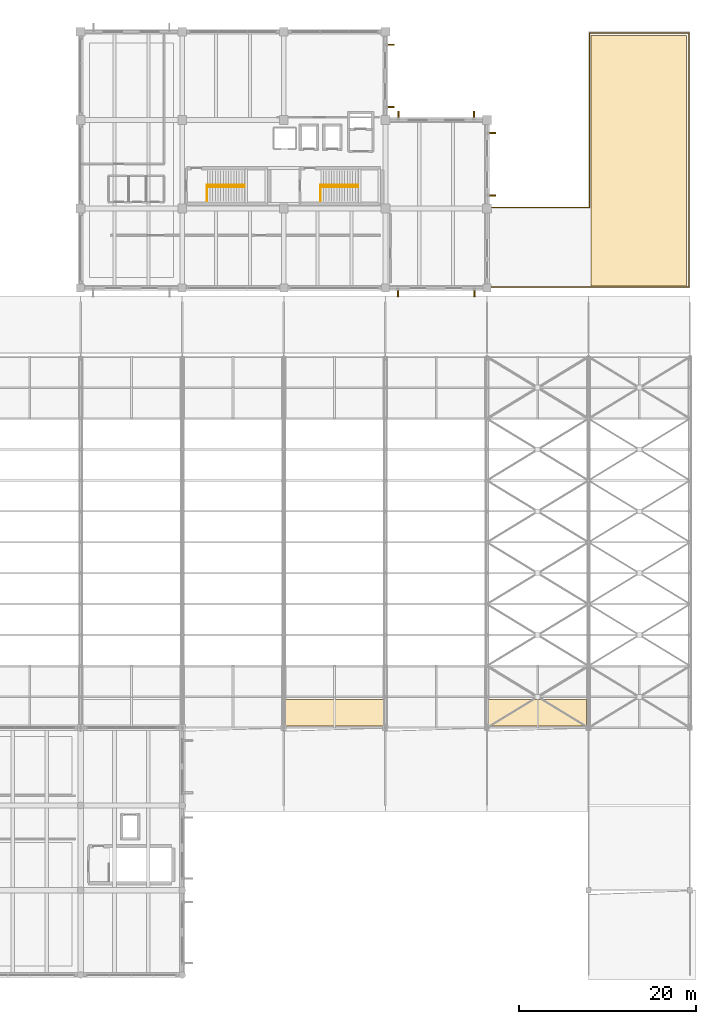
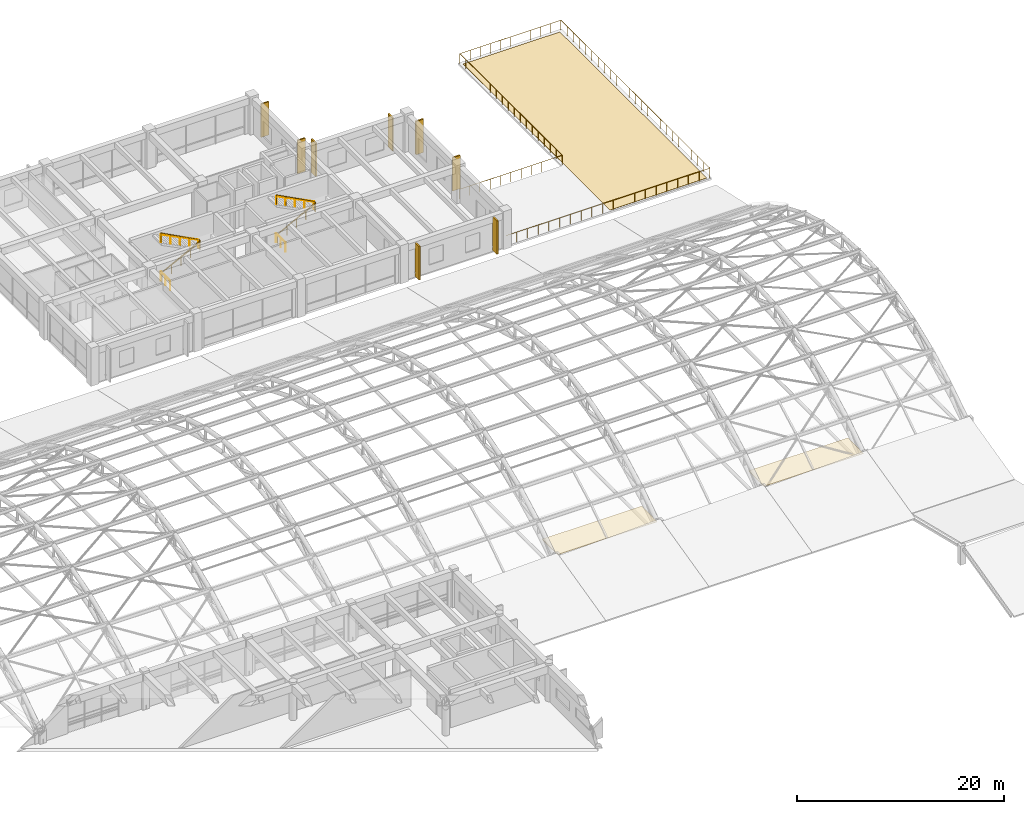
# One storey, part 154 of 154: 9 railings, 8 shading devices, 3 coverings.
"""IFC4 building model written with IfcOpenShell, lengths in metres."""

from ifc_helpers import new_model, si_unit, direction, frame, origin, origin_2d, place, context, subcontext, project, spatial, polyline, rectangle, circle, outline, extrude, material, layer, layer_set, type_object, element, save


model = new_model("IFC4")

# Units and contexts
model_context = context("Model", 3, precision=1e-05, world=origin(), true_north=direction((0.0, 1.0)))
body_context = subcontext(model_context, "Body", "Model", "MODEL_VIEW")
ifc_project = project(units=[si_unit("LENGTHUNIT", "METRE"), si_unit("AREAUNIT", "SQUARE_METRE"), si_unit("VOLUMEUNIT", "CUBIC_METRE"), si_unit("PLANEANGLEUNIT", "RADIAN"), si_unit("MASSUNIT", "GRAM", prefix="KILO")], contexts=[model_context])

# Site, building, storey
site_placement = place(None, origin())
site = spatial("IfcSite", under=ifc_project, at=site_placement, CompositionType="ELEMENT")
building_placement = place(site_placement, origin())
building = spatial("IfcBuilding", under=site, at=building_placement, Name="Ologun Quay Terminus", CompositionType="ELEMENT")
storey_placement = place(building_placement, frame((0.0, 0.0, 13.800048828125)))
storey = spatial("IfcBuildingStorey", under=building, at=storey_placement, Name="L03", CompositionType="ELEMENT", Elevation=13.800048828125)

# Shading devices
ifc_material_1 = material(Name="Concrete C40/50", Category="concrete")
ifc_layer_1 = layer(ifc_material_1, 0.159912109375)
ifc_layer_set_1 = layer_set([ifc_layer_1], Name="Concrete C40/50")
shading_device_type = type_object("IfcShadingDeviceType", Name="Operations Angled Precast Solar Fin 850x160", PredefinedType="USERDEFINED", material=ifc_layer_set_1)
for number, where, z_axis, x_axis, name in (
    (1, (150.919921875, 85.2451171875, 0.14990234375), (0.0, 0.0, 1.0), (1.0, 0.0, 0.0), "SD-05 Vertical Solar Fin WEW-EW-L03-4-1"),
    (2, (159.580078125, 85.2451171875, 0.14990234375), (0.0, 0.0, 1.0), (1.0, 0.0, 0.0), "SD-05 Vertical Solar Fin WEW-EW-L03-4-2"),
):
    element("IfcShadingDevice", number, at=place(storey_placement, frame(where, z_axis=z_axis, x_axis=x_axis)), inside=storey, type_object=shading_device_type, Name=name, ObjectType="SOLAR FIN", PredefinedType="USERDEFINED", context=body_context, shape_type="SweptSolid", body=[
        extrude(rectangle(XDim=0.159912109375, YDim=0.85009765625, at=origin_2d()), origin(), (0.0, 0.0, 1.0), 3.929931640625),
    ])
for number, where, z_axis, x_axis, name in (
    (3, (161.554931640625, 96.27001953125, 0.14990234375), (0.0, 0.0, 1.0), (1.0, 0.0, 0.0), "SD-05 Vertical Solar Fin WEW-EW-L03-6-1"),
    (4, (161.554931640625, 103.330078125, 0.14990234375), (0.0, 0.0, 1.0), (1.0, 0.0, 0.0), "SD-05 Vertical Solar Fin WEW-EW-L03-6-2"),
):
    element("IfcShadingDevice", number, at=place(storey_placement, frame(where, z_axis=z_axis, x_axis=x_axis)), inside=storey, type_object=shading_device_type, Name=name, ObjectType="SOLAR FIN", PredefinedType="USERDEFINED", context=body_context, shape_type="SweptSolid", body=[
        extrude(rectangle(XDim=0.85009765625, YDim=0.159912109375, at=origin_2d()), origin(), (0.0, 0.0, 1.0), 3.929931640625),
    ])
for number, where, z_axis, x_axis, name in (
    (5, (150.969970703125, 105.35498046875, 0.14990234375), (0.0, 0.0, 1.0), (1.0, 0.0, 0.0), "SD-05 Vertical Solar Fin WEW-EW-L03-7-1"),
    (6, (159.530029296875, 105.35498046875, 0.14990234375), (0.0, 0.0, 1.0), (1.0, 0.0, 0.0), "SD-05 Vertical Solar Fin WEW-EW-L03-7-2"),
):
    element("IfcShadingDevice", number, at=place(storey_placement, frame(where, z_axis=z_axis, x_axis=x_axis)), inside=storey, type_object=shading_device_type, Name=name, ObjectType="SOLAR FIN", PredefinedType="USERDEFINED", context=body_context, shape_type="SweptSolid", body=[
        extrude(rectangle(XDim=0.159912109375, YDim=0.85009765625, at=origin_2d()), origin(), (0.0, 0.0, 1.0), 3.929931640625),
    ])
for number, where, z_axis, x_axis, name in (
    (7, (150.054931640625, 106.27001953125, 0.14990234375), (0.0, 0.0, 1.0), (1.0, 0.0, 0.0), "SD-05 Vertical Solar Fin WEW-EW-L03-8-1"),
    (8, (150.054931640625, 113.330078125, 0.14990234375), (0.0, 0.0, 1.0), (1.0, 0.0, 0.0), "SD-05 Vertical Solar Fin WEW-EW-L03-8-2"),
):
    element("IfcShadingDevice", number, at=place(storey_placement, frame(where, z_axis=z_axis, x_axis=x_axis)), inside=storey, type_object=shading_device_type, Name=name, ObjectType="SOLAR FIN", PredefinedType="USERDEFINED", context=body_context, shape_type="SweptSolid", body=[
        extrude(rectangle(XDim=0.85009765625, YDim=0.159912109375, at=origin_2d()), origin(), (0.0, 0.0, 1.0), 3.929931640625),
    ])

# Railings
ifc_material_2 = material(Name="Steel S355", Category="steel")
railing_type_1 = type_object("IfcRailingType", Name="Stair & Landing Steel Guardrail 1100", PredefinedType="GUARDRAIL", material=ifc_material_2)
railing_1_placement = place(storey_placement, frame((129.31005859375, 97.43994140625, 0.0)))
element("IfcRailing", 9, at=railing_1_placement, inside=storey, type_object=railing_type_1, Name="GR-ST Stair Floor Edge Guard ST-E1 L03", PredefinedType="GUARDRAIL", context=body_context, shape_type="SweptSolid", body=[
    extrude(circle(Radius=0.02392578125, at=origin_2d()), frame((0.0, 0.0, 1.076171875), z_axis=(0.0, -1.0, 0.0), x_axis=(1.0, 0.0, 0.0)), (0.0, 0.0, 1.0), 1.829833984375),
    extrude(circle(Radius=0.02099609375, at=origin_2d()), origin(), (0.0, 0.0, 1.0), 1.052001953125),
    extrude(circle(Radius=0.02099609375, at=origin_2d()), frame((0.0, -0.9150390625, 0.0)), (0.0, 0.0, 1.0), 1.052001953125),
    extrude(circle(Radius=0.02099609375, at=origin_2d()), frame((0.0, -1.829833984375, 0.0)), (0.0, 0.0, 1.0), 1.052001953125),
])
railing_2_placement = place(storey_placement, frame((129.35009765625, 97.25, 0.0)))
element("IfcRailing", 10, at=railing_2_placement, inside=storey, type_object=railing_type_1, Name="GR-ST Stair Inner Well Guard ST-E1 L03", PredefinedType="GUARDRAIL", context=body_context, shape_type="SweptSolid", body=[
    extrude(circle(Radius=0.02392578125, at=origin_2d()), frame((0.0, 0.0, 1.076171875), z_axis=(0.882871490178, 0.0, 0.469614663135), x_axis=(0.0, 1.0, 0.0)), (0.0, 0.0, 1.0), 4.791259765625),
    extrude(circle(Radius=0.02392578125, at=origin_2d()), frame((4.22998046875, 0.0, 3.326171875), z_axis=(0.0, 1.0, 0.0), x_axis=(-1.0, 0.0, 0.0)), (0.0, 0.0, 1.0), 0.199951171875),
    extrude(circle(Radius=0.02392578125, at=origin_2d()), frame((4.22998046875, 0.199951171875, 3.326171875), z_axis=(-0.882871490178, 0.0, 0.469614663135), x_axis=(0.0, -1.0, 0.0)), (0.0, 0.0, 1.0), 4.791259765625),
    extrude(circle(Radius=0.02099609375, at=origin_2d()), origin(), (0.0, 0.0, 1.0), 1.052001953125),
    extrude(circle(Radius=0.02099609375, at=origin_2d()), frame((1.0576171875, 0.0, 0.5625)), (0.0, 0.0, 1.0), 1.052001953125),
    extrude(circle(Radius=0.02099609375, at=origin_2d()), frame((2.114990234375, 0.0, 1.125)), (0.0, 0.0, 1.0), 1.052001953125),
    extrude(circle(Radius=0.02099609375, at=origin_2d()), frame((3.17236328125, 0.0, 1.6875)), (0.0, 0.0, 1.0), 1.052001953125),
    extrude(circle(Radius=0.02099609375, at=origin_2d()), frame((4.22998046875, 0.0, 2.25)), (0.0, 0.0, 1.0), 1.052001953125),
    extrude(circle(Radius=0.02099609375, at=origin_2d()), frame((4.22998046875, 0.199951171875, 2.25)), (0.0, 0.0, 1.0), 1.052001953125),
    extrude(circle(Radius=0.02099609375, at=origin_2d()), frame((3.17236328125, 0.199951171875, 2.8125)), (0.0, 0.0, 1.0), 1.052001953125),
    extrude(circle(Radius=0.02099609375, at=origin_2d()), frame((2.114990234375, 0.199951171875, 3.375)), (0.0, 0.0, 1.0), 1.052001953125),
    extrude(circle(Radius=0.02099609375, at=origin_2d()), frame((1.0576171875, 0.199951171875, 3.9375)), (0.0, 0.0, 1.0), 1.052001953125),
    extrude(circle(Radius=0.02099609375, at=origin_2d()), frame((0.0, 0.199951171875, 4.5)), (0.0, 0.0, 1.0), 1.052001953125),
])
railing_3_placement = place(storey_placement, frame((142.159912109375, 97.43994140625, 0.0)))
element("IfcRailing", 11, at=railing_3_placement, inside=storey, type_object=railing_type_1, Name="GR-ST Stair Floor Edge Guard ST-E2 L03", PredefinedType="GUARDRAIL", context=body_context, shape_type="SweptSolid", body=[
    extrude(circle(Radius=0.02392578125, at=origin_2d()), frame((0.0, 0.0, 1.076171875), z_axis=(0.0, -1.0, 0.0), x_axis=(1.0, 0.0, 0.0)), (0.0, 0.0, 1.0), 1.829833984375),
    extrude(circle(Radius=0.02099609375, at=origin_2d()), origin(), (0.0, 0.0, 1.0), 1.052001953125),
    extrude(circle(Radius=0.02099609375, at=origin_2d()), frame((0.0, -0.9150390625, 0.0)), (0.0, 0.0, 1.0), 1.052001953125),
    extrude(circle(Radius=0.02099609375, at=origin_2d()), frame((0.0, -1.829833984375, 0.0)), (0.0, 0.0, 1.0), 1.052001953125),
])
railing_4_placement = place(storey_placement, frame((142.199951171875, 97.25, 0.0)))
element("IfcRailing", 12, at=railing_4_placement, inside=storey, type_object=railing_type_1, Name="GR-ST Stair Inner Well Guard ST-E2 L03", PredefinedType="GUARDRAIL", context=body_context, shape_type="SweptSolid", body=[
    extrude(circle(Radius=0.02392578125, at=origin_2d()), frame((0.0, 0.0, 1.076171875), z_axis=(0.882871490178, 0.0, 0.469614663135), x_axis=(0.0, 1.0, 0.0)), (0.0, 0.0, 1.0), 4.791259765625),
    extrude(circle(Radius=0.02392578125, at=origin_2d()), frame((4.22998046875, 0.0, 3.326171875), z_axis=(0.0, 1.0, 0.0), x_axis=(-1.0, 0.0, 0.0)), (0.0, 0.0, 1.0), 0.199951171875),
    extrude(circle(Radius=0.02392578125, at=origin_2d()), frame((4.22998046875, 0.199951171875, 3.326171875), z_axis=(-0.882871490178, 0.0, 0.469614663135), x_axis=(0.0, -1.0, 0.0)), (0.0, 0.0, 1.0), 4.791259765625),
    extrude(circle(Radius=0.02099609375, at=origin_2d()), origin(), (0.0, 0.0, 1.0), 1.052001953125),
    extrude(circle(Radius=0.02099609375, at=origin_2d()), frame((1.0576171875, 0.0, 0.5625)), (0.0, 0.0, 1.0), 1.052001953125),
    extrude(circle(Radius=0.02099609375, at=origin_2d()), frame((2.114990234375, 0.0, 1.125)), (0.0, 0.0, 1.0), 1.052001953125),
    extrude(circle(Radius=0.02099609375, at=origin_2d()), frame((3.17236328125, 0.0, 1.6875)), (0.0, 0.0, 1.0), 1.052001953125),
    extrude(circle(Radius=0.02099609375, at=origin_2d()), frame((4.22998046875, 0.0, 2.25)), (0.0, 0.0, 1.0), 1.052001953125),
    extrude(circle(Radius=0.02099609375, at=origin_2d()), frame((4.22998046875, 0.199951171875, 2.25)), (0.0, 0.0, 1.0), 1.052001953125),
    extrude(circle(Radius=0.02099609375, at=origin_2d()), frame((3.17236328125, 0.199951171875, 2.8125)), (0.0, 0.0, 1.0), 1.052001953125),
    extrude(circle(Radius=0.02099609375, at=origin_2d()), frame((2.114990234375, 0.199951171875, 3.375)), (0.0, 0.0, 1.0), 1.052001953125),
    extrude(circle(Radius=0.02099609375, at=origin_2d()), frame((1.0576171875, 0.199951171875, 3.9375)), (0.0, 0.0, 1.0), 1.052001953125),
    extrude(circle(Radius=0.02099609375, at=origin_2d()), frame((0.0, 0.199951171875, 4.5)), (0.0, 0.0, 1.0), 1.052001953125),
])
ifc_material_3 = material(Name="Steel S355", Category="steel")
railing_type_2 = type_object("IfcRailingType", Name="Stair Stainless Tubular Handrail 920", PredefinedType="HANDRAIL", material=ifc_material_3)
railing_5_placement = place(storey_placement, frame((129.35009765625, 97.239990234375, 0.14990234375)))
element("IfcRailing", 13, at=railing_5_placement, inside=storey, type_object=railing_type_2, Name="HR-ST Handrail ST-E1-F1 L03", PredefinedType="HANDRAIL", context=body_context, shape_type="SweptSolid", body=[
    extrude(circle(Radius=0.02392578125, at=origin_2d()), frame((0.0, 0.0, 0.89599609375), z_axis=(0.894416792377, 0.0, 0.447234392142), x_axis=(0.0, 1.0, 0.0)), (0.0, 0.0, 1.0), 4.69580078125),
    extrude(circle(Radius=0.02099609375, at=origin_2d()), origin(), (0.0, 0.0, 1.0), 0.871826171875),
    extrude(circle(Radius=0.02099609375, at=origin_2d()), frame((1.050048828125, 0.0, 0.52490234375)), (0.0, 0.0, 1.0), 0.871826171875),
    extrude(circle(Radius=0.02099609375, at=origin_2d()), frame((2.10009765625, 0.0, 1.050048828125)), (0.0, 0.0, 1.0), 0.871826171875),
    extrude(circle(Radius=0.02099609375, at=origin_2d()), frame((3.14990234375, 0.0, 1.5751953125)), (0.0, 0.0, 1.0), 0.871826171875),
    extrude(circle(Radius=0.02099609375, at=origin_2d()), frame((4.199951171875, 0.0, 2.10009765625)), (0.0, 0.0, 1.0), 0.871826171875),
])
railing_6_placement = place(storey_placement, frame((133.550048828125, 97.4599609375, 2.39990234375)))
element("IfcRailing", 14, at=railing_6_placement, inside=storey, type_object=railing_type_2, Name="HR-ST Handrail ST-E1-F2 L03", PredefinedType="HANDRAIL", context=body_context, shape_type="SweptSolid", body=[
    extrude(circle(Radius=0.02392578125, at=origin_2d()), frame((0.0, 0.0, 0.89599609375), z_axis=(-0.894416792377, 0.0, 0.447234392142), x_axis=(0.0, -1.0, 0.0)), (0.0, 0.0, 1.0), 4.69580078125),
    extrude(circle(Radius=0.02099609375, at=origin_2d()), origin(), (0.0, 0.0, 1.0), 0.871826171875),
    extrude(circle(Radius=0.02099609375, at=origin_2d()), frame((-1.050048828125, 0.0, 0.52490234375)), (0.0, 0.0, 1.0), 0.871826171875),
    extrude(circle(Radius=0.02099609375, at=origin_2d()), frame((-2.10009765625, 0.0, 1.050048828125)), (0.0, 0.0, 1.0), 0.871826171875),
    extrude(circle(Radius=0.02099609375, at=origin_2d()), frame((-3.14990234375, 0.0, 1.5751953125)), (0.0, 0.0, 1.0), 0.871826171875),
    extrude(circle(Radius=0.02099609375, at=origin_2d()), frame((-4.199951171875, 0.0, 2.10009765625)), (0.0, 0.0, 1.0), 0.871826171875),
])
railing_7_placement = place(storey_placement, frame((142.199951171875, 97.239990234375, 0.14990234375)))
element("IfcRailing", 15, at=railing_7_placement, inside=storey, type_object=railing_type_2, Name="HR-ST Handrail ST-E2-F1 L03", PredefinedType="HANDRAIL", context=body_context, shape_type="SweptSolid", body=[
    extrude(circle(Radius=0.02392578125, at=origin_2d()), frame((0.0, 0.0, 0.89599609375), z_axis=(0.894416792377, 0.0, 0.447234392142), x_axis=(0.0, 1.0, 0.0)), (0.0, 0.0, 1.0), 4.69580078125),
    extrude(circle(Radius=0.02099609375, at=origin_2d()), origin(), (0.0, 0.0, 1.0), 0.871826171875),
    extrude(circle(Radius=0.02099609375, at=origin_2d()), frame((1.050048828125, 0.0, 0.52490234375)), (0.0, 0.0, 1.0), 0.871826171875),
    extrude(circle(Radius=0.02099609375, at=origin_2d()), frame((2.10009765625, 0.0, 1.050048828125)), (0.0, 0.0, 1.0), 0.871826171875),
    extrude(circle(Radius=0.02099609375, at=origin_2d()), frame((3.14990234375, 0.0, 1.5751953125)), (0.0, 0.0, 1.0), 0.871826171875),
    extrude(circle(Radius=0.02099609375, at=origin_2d()), frame((4.199951171875, 0.0, 2.10009765625)), (0.0, 0.0, 1.0), 0.871826171875),
])
railing_8_placement = place(storey_placement, frame((146.39990234375, 97.4599609375, 2.39990234375)))
element("IfcRailing", 16, at=railing_8_placement, inside=storey, type_object=railing_type_2, Name="HR-ST Handrail ST-E2-F2 L03", PredefinedType="HANDRAIL", context=body_context, shape_type="SweptSolid", body=[
    extrude(circle(Radius=0.02392578125, at=origin_2d()), frame((0.0, 0.0, 0.89599609375), z_axis=(-0.894416792377, 0.0, 0.447234392142), x_axis=(0.0, -1.0, 0.0)), (0.0, 0.0, 1.0), 4.69580078125),
    extrude(circle(Radius=0.02099609375, at=origin_2d()), origin(), (0.0, 0.0, 1.0), 0.871826171875),
    extrude(circle(Radius=0.02099609375, at=origin_2d()), frame((-1.050048828125, 0.0, 0.52490234375)), (0.0, 0.0, 1.0), 0.871826171875),
    extrude(circle(Radius=0.02099609375, at=origin_2d()), frame((-2.10009765625, 0.0, 1.050048828125)), (0.0, 0.0, 1.0), 0.871826171875),
    extrude(circle(Radius=0.02099609375, at=origin_2d()), frame((-3.14990234375, 0.0, 1.5751953125)), (0.0, 0.0, 1.0), 0.871826171875),
    extrude(circle(Radius=0.02099609375, at=origin_2d()), frame((-4.199951171875, 0.0, 2.10009765625)), (0.0, 0.0, 1.0), 0.871826171875),
])

# Coverings
ifc_material_4 = material(Name="Aluminium 6063-T6", Category="aluminium")
ifc_layer_2 = layer(ifc_material_4, 0.06494140625)
ifc_layer_set_2 = layer_set([ifc_layer_2], Name="Aluminium 6063-T6")
covering_type_1 = type_object("IfcCoveringType", Name="Standing-Seam Aluminium Barrel Roof Cladding 65", PredefinedType="ROOFING", material=ifc_layer_set_2)
covering_1_placement = place(storey_placement, frame((0.0, 0.0, 1.659912109375)))
element("IfcCovering", 17, at=covering_1_placement, inside=storey, type_object=covering_type_1, Name="CV-RFS Train Shed Eave Cladding Strip B13", PredefinedType="ROOFING", context=body_context, shape_type="SweptSolid", body=[
    extrude(outline(polyline([(138.199951171875, 36.199951171875), (149.300048828125, 36.199951171875), (149.300048828125, 39.199951171875), (138.199951171875, 39.199951171875), (138.199951171875, 36.199951171875)])), origin(), (0.0, 0.0, 1.0), 0.06494140625),
])
covering_2_placement = place(storey_placement, frame((0.0, 0.0, 1.659912109375)))
element("IfcCovering", 18, at=covering_2_placement, inside=storey, type_object=covering_type_1, Name="CV-RFS Train Shed Eave Cladding Strip B15", PredefinedType="ROOFING", context=body_context, shape_type="SweptSolid", body=[
    extrude(outline(polyline([(161.199951171875, 36.199951171875), (172.300048828125, 36.199951171875), (172.300048828125, 39.199951171875), (161.199951171875, 39.199951171875), (161.199951171875, 36.199951171875)])), origin(), (0.0, 0.0, 1.0), 0.06494140625),
])

# Railing
ifc_material_5 = material(Name="Steel S355", Category="steel")
railing_type_3 = type_object("IfcRailingType", Name="Terrace & Quay Perimeter Guardrail 1150", PredefinedType="GUARDRAIL", material=ifc_material_5)
railing_9_placement = place(storey_placement, frame((161.14990234375, 94.919921875, 0.0)))
element("IfcRailing", 19, at=railing_9_placement, inside=storey, type_object=railing_type_3, Name="GR-TR East Quay Roof Terrace Guardrail L03", PredefinedType="GUARDRAIL", context=body_context, shape_type="SweptSolid", body=[
    extrude(circle(Radius=0.02392578125, at=origin_2d()), frame((0.0, 0.0, 1.1259765625), z_axis=(1.0, 0.0, 0.0), x_axis=(0.0, 1.0, 0.0)), (0.0, 0.0, 1.0), 11.47021484375),
    extrude(circle(Radius=0.02392578125, at=origin_2d()), frame((11.47021484375, 0.0, 1.1259765625), z_axis=(0.0, 1.0, 0.0), x_axis=(-1.0, 0.0, 0.0)), (0.0, 0.0, 1.0), 19.760009765625),
    extrude(circle(Radius=0.02392578125, at=origin_2d()), frame((11.47021484375, 19.760009765625, 1.1259765625), z_axis=(1.0, 0.0, 0.0), x_axis=(0.0, 1.0, 0.0)), (0.0, 0.0, 1.0), 11.259765625),
    extrude(circle(Radius=0.02392578125, at=origin_2d()), frame((22.72998046875, 19.760009765625, 1.1259765625), z_axis=(0.0, -1.0, 0.0), x_axis=(1.0, 0.0, 0.0)), (0.0, 0.0, 1.0), 28.760009765625),
    extrude(circle(Radius=0.02392578125, at=origin_2d()), frame((22.72998046875, -9.0, 1.1259765625), z_axis=(-1.0, 0.0, 0.0), x_axis=(0.0, -1.0, 0.0)), (0.0, 0.0, 1.0), 22.72998046875),
    extrude(circle(Radius=0.02099609375, at=origin_2d()), origin(), (0.0, 0.0, 1.0), 1.101806640625),
    extrude(circle(Radius=0.02099609375, at=origin_2d()), frame((1.14697265625, 0.0, 0.0)), (0.0, 0.0, 1.0), 1.101806640625),
    extrude(circle(Radius=0.02099609375, at=origin_2d()), frame((2.2939453125, 0.0, 0.0)), (0.0, 0.0, 1.0), 1.101806640625),
    extrude(circle(Radius=0.02099609375, at=origin_2d()), frame((3.441162109375, 0.0, 0.0)), (0.0, 0.0, 1.0), 1.101806640625),
    extrude(circle(Radius=0.02099609375, at=origin_2d()), frame((4.588134765625, 0.0, 0.0)), (0.0, 0.0, 1.0), 1.101806640625),
    extrude(circle(Radius=0.02099609375, at=origin_2d()), frame((5.735107421875, 0.0, 0.0)), (0.0, 0.0, 1.0), 1.101806640625),
    extrude(circle(Radius=0.02099609375, at=origin_2d()), frame((6.882080078125, 0.0, 0.0)), (0.0, 0.0, 1.0), 1.101806640625),
    extrude(circle(Radius=0.02099609375, at=origin_2d()), frame((8.029052734375, 0.0, 0.0)), (0.0, 0.0, 1.0), 1.101806640625),
    extrude(circle(Radius=0.02099609375, at=origin_2d()), frame((9.17626953125, 0.0, 0.0)), (0.0, 0.0, 1.0), 1.101806640625),
    extrude(circle(Radius=0.02099609375, at=origin_2d()), frame((10.3232421875, 0.0, 0.0)), (0.0, 0.0, 1.0), 1.101806640625),
    extrude(circle(Radius=0.02099609375, at=origin_2d()), frame((11.47021484375, 0.0, 0.0)), (0.0, 0.0, 1.0), 1.101806640625),
    extrude(circle(Radius=0.02099609375, at=origin_2d()), frame((11.47021484375, 1.162353515625, 0.0)), (0.0, 0.0, 1.0), 1.101806640625),
    extrude(circle(Radius=0.02099609375, at=origin_2d()), frame((11.47021484375, 2.32470703125, 0.0)), (0.0, 0.0, 1.0), 1.101806640625),
    extrude(circle(Radius=0.02099609375, at=origin_2d()), frame((11.47021484375, 3.487060546875, 0.0)), (0.0, 0.0, 1.0), 1.101806640625),
    extrude(circle(Radius=0.02099609375, at=origin_2d()), frame((11.47021484375, 4.6494140625, 0.0)), (0.0, 0.0, 1.0), 1.101806640625),
    extrude(circle(Radius=0.02099609375, at=origin_2d()), frame((11.47021484375, 5.811767578125, 0.0)), (0.0, 0.0, 1.0), 1.101806640625),
    extrude(circle(Radius=0.02099609375, at=origin_2d()), frame((11.47021484375, 6.97412109375, 0.0)), (0.0, 0.0, 1.0), 1.101806640625),
    extrude(circle(Radius=0.02099609375, at=origin_2d()), frame((11.47021484375, 8.136474609375, 0.0)), (0.0, 0.0, 1.0), 1.101806640625),
    extrude(circle(Radius=0.02099609375, at=origin_2d()), frame((11.47021484375, 9.298828125, 0.0)), (0.0, 0.0, 1.0), 1.101806640625),
    extrude(circle(Radius=0.02099609375, at=origin_2d()), frame((11.47021484375, 10.461181640625, 0.0)), (0.0, 0.0, 1.0), 1.101806640625),
    extrude(circle(Radius=0.02099609375, at=origin_2d()), frame((11.47021484375, 11.62353515625, 0.0)), (0.0, 0.0, 1.0), 1.101806640625),
    extrude(circle(Radius=0.02099609375, at=origin_2d()), frame((11.47021484375, 12.785888671875, 0.0)), (0.0, 0.0, 1.0), 1.101806640625),
    extrude(circle(Radius=0.02099609375, at=origin_2d()), frame((11.47021484375, 13.9482421875, 0.0)), (0.0, 0.0, 1.0), 1.101806640625),
    extrude(circle(Radius=0.02099609375, at=origin_2d()), frame((11.47021484375, 15.110595703125, 0.0)), (0.0, 0.0, 1.0), 1.101806640625),
    extrude(circle(Radius=0.02099609375, at=origin_2d()), frame((11.47021484375, 16.27294921875, 0.0)), (0.0, 0.0, 1.0), 1.101806640625),
    extrude(circle(Radius=0.02099609375, at=origin_2d()), frame((11.47021484375, 17.435302734375, 0.0)), (0.0, 0.0, 1.0), 1.101806640625),
    extrude(circle(Radius=0.02099609375, at=origin_2d()), frame((11.47021484375, 18.59765625, 0.0)), (0.0, 0.0, 1.0), 1.101806640625),
    extrude(circle(Radius=0.02099609375, at=origin_2d()), frame((11.47021484375, 19.760009765625, 0.0)), (0.0, 0.0, 1.0), 1.101806640625),
    extrude(circle(Radius=0.02099609375, at=origin_2d()), frame((12.59619140625, 19.760009765625, 0.0)), (0.0, 0.0, 1.0), 1.101806640625),
    extrude(circle(Radius=0.02099609375, at=origin_2d()), frame((13.72216796875, 19.760009765625, 0.0)), (0.0, 0.0, 1.0), 1.101806640625),
    extrude(circle(Radius=0.02099609375, at=origin_2d()), frame((14.84814453125, 19.760009765625, 0.0)), (0.0, 0.0, 1.0), 1.101806640625),
    extrude(circle(Radius=0.02099609375, at=origin_2d()), frame((15.97412109375, 19.760009765625, 0.0)), (0.0, 0.0, 1.0), 1.101806640625),
    extrude(circle(Radius=0.02099609375, at=origin_2d()), frame((17.10009765625, 19.760009765625, 0.0)), (0.0, 0.0, 1.0), 1.101806640625),
    extrude(circle(Radius=0.02099609375, at=origin_2d()), frame((18.22607421875, 19.760009765625, 0.0)), (0.0, 0.0, 1.0), 1.101806640625),
    extrude(circle(Radius=0.02099609375, at=origin_2d()), frame((19.35205078125, 19.760009765625, 0.0)), (0.0, 0.0, 1.0), 1.101806640625),
    extrude(circle(Radius=0.02099609375, at=origin_2d()), frame((20.47802734375, 19.760009765625, 0.0)), (0.0, 0.0, 1.0), 1.101806640625),
    extrude(circle(Radius=0.02099609375, at=origin_2d()), frame((21.60400390625, 19.760009765625, 0.0)), (0.0, 0.0, 1.0), 1.101806640625),
    extrude(circle(Radius=0.02099609375, at=origin_2d()), frame((22.72998046875, 19.760009765625, 0.0)), (0.0, 0.0, 1.0), 1.101806640625),
    extrude(circle(Radius=0.02099609375, at=origin_2d()), frame((22.72998046875, 18.561767578125, 0.0)), (0.0, 0.0, 1.0), 1.101806640625),
    extrude(circle(Radius=0.02099609375, at=origin_2d()), frame((22.72998046875, 17.36328125, 0.0)), (0.0, 0.0, 1.0), 1.101806640625),
    extrude(circle(Radius=0.02099609375, at=origin_2d()), frame((22.72998046875, 16.1650390625, 0.0)), (0.0, 0.0, 1.0), 1.101806640625),
    extrude(circle(Radius=0.02099609375, at=origin_2d()), frame((22.72998046875, 14.966796875, 0.0)), (0.0, 0.0, 1.0), 1.101806640625),
    extrude(circle(Radius=0.02099609375, at=origin_2d()), frame((22.72998046875, 13.768310546875, 0.0)), (0.0, 0.0, 1.0), 1.101806640625),
    extrude(circle(Radius=0.02099609375, at=origin_2d()), frame((22.72998046875, 12.570068359375, 0.0)), (0.0, 0.0, 1.0), 1.101806640625),
    extrude(circle(Radius=0.02099609375, at=origin_2d()), frame((22.72998046875, 11.37158203125, 0.0)), (0.0, 0.0, 1.0), 1.101806640625),
    extrude(circle(Radius=0.02099609375, at=origin_2d()), frame((22.72998046875, 10.17333984375, 0.0)), (0.0, 0.0, 1.0), 1.101806640625),
    extrude(circle(Radius=0.02099609375, at=origin_2d()), frame((22.72998046875, 8.97509765625, 0.0)), (0.0, 0.0, 1.0), 1.101806640625),
    extrude(circle(Radius=0.02099609375, at=origin_2d()), frame((22.72998046875, 7.776611328125, 0.0)), (0.0, 0.0, 1.0), 1.101806640625),
    extrude(circle(Radius=0.02099609375, at=origin_2d()), frame((22.72998046875, 6.578369140625, 0.0)), (0.0, 0.0, 1.0), 1.101806640625),
    extrude(circle(Radius=0.02099609375, at=origin_2d()), frame((22.72998046875, 5.3798828125, 0.0)), (0.0, 0.0, 1.0), 1.101806640625),
    extrude(circle(Radius=0.02099609375, at=origin_2d()), frame((22.72998046875, 4.181640625, 0.0)), (0.0, 0.0, 1.0), 1.101806640625),
    extrude(circle(Radius=0.02099609375, at=origin_2d()), frame((22.72998046875, 2.9833984375, 0.0)), (0.0, 0.0, 1.0), 1.101806640625),
    extrude(circle(Radius=0.02099609375, at=origin_2d()), frame((22.72998046875, 1.784912109375, 0.0)), (0.0, 0.0, 1.0), 1.101806640625),
    extrude(circle(Radius=0.02099609375, at=origin_2d()), frame((22.72998046875, 0.586669921875, 0.0)), (0.0, 0.0, 1.0), 1.101806640625),
    extrude(circle(Radius=0.02099609375, at=origin_2d()), frame((22.72998046875, -0.611572265625, 0.0)), (0.0, 0.0, 1.0), 1.101806640625),
    extrude(circle(Radius=0.02099609375, at=origin_2d()), frame((22.72998046875, -1.81005859375, 0.0)), (0.0, 0.0, 1.0), 1.101806640625),
    extrude(circle(Radius=0.02099609375, at=origin_2d()), frame((22.72998046875, -3.00830078125, 0.0)), (0.0, 0.0, 1.0), 1.101806640625),
    extrude(circle(Radius=0.02099609375, at=origin_2d()), frame((22.72998046875, -4.20654296875, 0.0)), (0.0, 0.0, 1.0), 1.101806640625),
    extrude(circle(Radius=0.02099609375, at=origin_2d()), frame((22.72998046875, -5.405029296875, 0.0)), (0.0, 0.0, 1.0), 1.101806640625),
    extrude(circle(Radius=0.02099609375, at=origin_2d()), frame((22.72998046875, -6.603271484375, 0.0)), (0.0, 0.0, 1.0), 1.101806640625),
    extrude(circle(Radius=0.02099609375, at=origin_2d()), frame((22.72998046875, -7.8017578125, 0.0)), (0.0, 0.0, 1.0), 1.101806640625),
    extrude(circle(Radius=0.02099609375, at=origin_2d()), frame((22.72998046875, -9.0, 0.0)), (0.0, 0.0, 1.0), 1.101806640625),
    extrude(circle(Radius=0.02099609375, at=origin_2d()), frame((21.53369140625, -9.0, 0.0)), (0.0, 0.0, 1.0), 1.101806640625),
    extrude(circle(Radius=0.02099609375, at=origin_2d()), frame((20.33740234375, -9.0, 0.0)), (0.0, 0.0, 1.0), 1.101806640625),
    extrude(circle(Radius=0.02099609375, at=origin_2d()), frame((19.14111328125, -9.0, 0.0)), (0.0, 0.0, 1.0), 1.101806640625),
    extrude(circle(Radius=0.02099609375, at=origin_2d()), frame((17.94482421875, -9.0, 0.0)), (0.0, 0.0, 1.0), 1.101806640625),
    extrude(circle(Radius=0.02099609375, at=origin_2d()), frame((16.748291015625, -9.0, 0.0)), (0.0, 0.0, 1.0), 1.101806640625),
    extrude(circle(Radius=0.02099609375, at=origin_2d()), frame((15.552001953125, -9.0, 0.0)), (0.0, 0.0, 1.0), 1.101806640625),
    extrude(circle(Radius=0.02099609375, at=origin_2d()), frame((14.355712890625, -9.0, 0.0)), (0.0, 0.0, 1.0), 1.101806640625),
    extrude(circle(Radius=0.02099609375, at=origin_2d()), frame((13.159423828125, -9.0, 0.0)), (0.0, 0.0, 1.0), 1.101806640625),
    extrude(circle(Radius=0.02099609375, at=origin_2d()), frame((11.963134765625, -9.0, 0.0)), (0.0, 0.0, 1.0), 1.101806640625),
    extrude(circle(Radius=0.02099609375, at=origin_2d()), frame((10.766845703125, -9.0, 0.0)), (0.0, 0.0, 1.0), 1.101806640625),
    extrude(circle(Radius=0.02099609375, at=origin_2d()), frame((9.570556640625, -9.0, 0.0)), (0.0, 0.0, 1.0), 1.101806640625),
    extrude(circle(Radius=0.02099609375, at=origin_2d()), frame((8.374267578125, -9.0, 0.0)), (0.0, 0.0, 1.0), 1.101806640625),
    extrude(circle(Radius=0.02099609375, at=origin_2d()), frame((7.177978515625, -9.0, 0.0)), (0.0, 0.0, 1.0), 1.101806640625),
    extrude(circle(Radius=0.02099609375, at=origin_2d()), frame((5.981689453125, -9.0, 0.0)), (0.0, 0.0, 1.0), 1.101806640625),
    extrude(circle(Radius=0.02099609375, at=origin_2d()), frame((4.78515625, -9.0, 0.0)), (0.0, 0.0, 1.0), 1.101806640625),
    extrude(circle(Radius=0.02099609375, at=origin_2d()), frame((3.5888671875, -9.0, 0.0)), (0.0, 0.0, 1.0), 1.101806640625),
    extrude(circle(Radius=0.02099609375, at=origin_2d()), frame((2.392578125, -9.0, 0.0)), (0.0, 0.0, 1.0), 1.101806640625),
    extrude(circle(Radius=0.02099609375, at=origin_2d()), frame((1.1962890625, -9.0, 0.0)), (0.0, 0.0, 1.0), 1.101806640625),
    extrude(circle(Radius=0.02099609375, at=origin_2d()), frame((0.0, -9.0, 0.0)), (0.0, 0.0, 1.0), 1.101806640625),
])

# Covering
ifc_material_6 = material(Name="Waterproof Membrane")
ifc_layer_3 = layer(ifc_material_6, 0.01806640625)
ifc_layer_set_3 = layer_set([ifc_layer_3], Name="Waterproof Membrane")
covering_type_2 = type_object("IfcCoveringType", Name="Two-Ply Polymeric Waterproof Roof Membrane 18", PredefinedType="ROOFING", material=ifc_layer_set_3)
covering_3_placement = place(storey_placement, origin())
element("IfcCovering", 20, at=covering_3_placement, inside=storey, type_object=covering_type_2, Name="CV-RFM Terrace Waterproof Membrane 2", PredefinedType="ROOFING", context=body_context, shape_type="SweptSolid", body=[
    extrude(outline(polyline([(172.800048828125, 86.0), (183.60009765625, 86.0), (183.60009765625, 114.39990234375), (172.800048828125, 114.39990234375), (172.800048828125, 86.0)])), origin(), (0.0, 0.0, 1.0), 0.01806640625),
])

save(model, "model.ifc")
